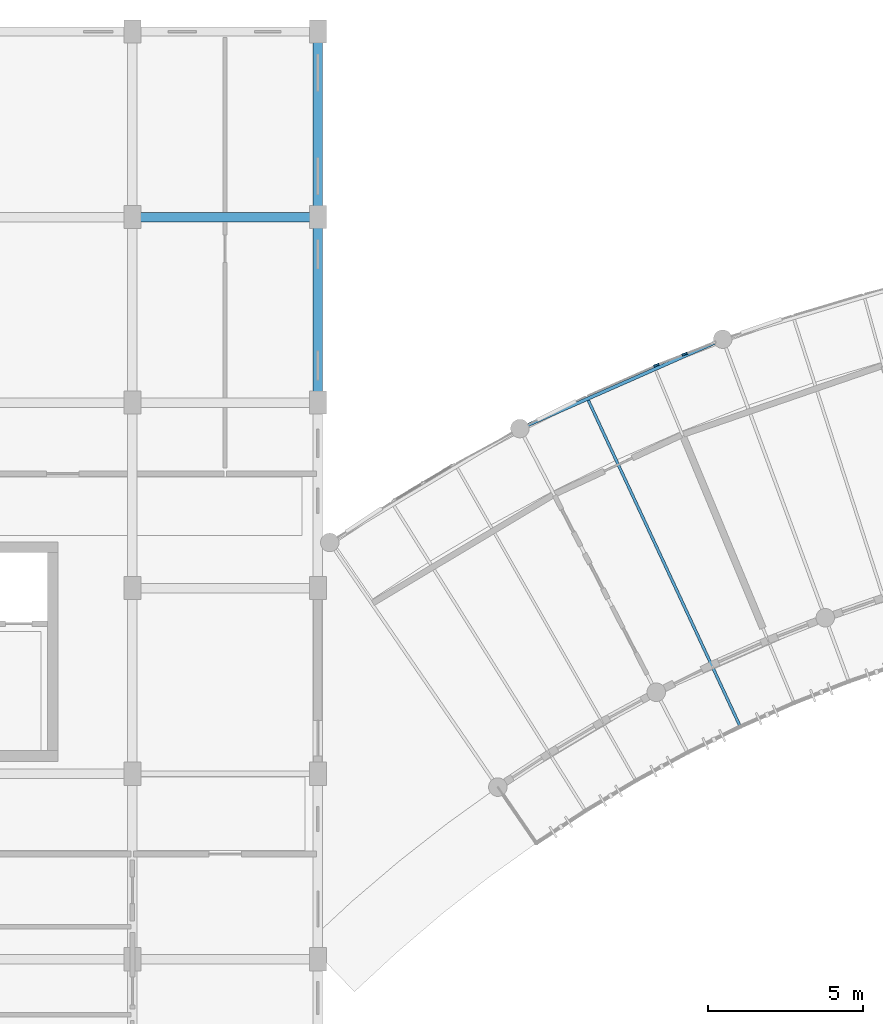
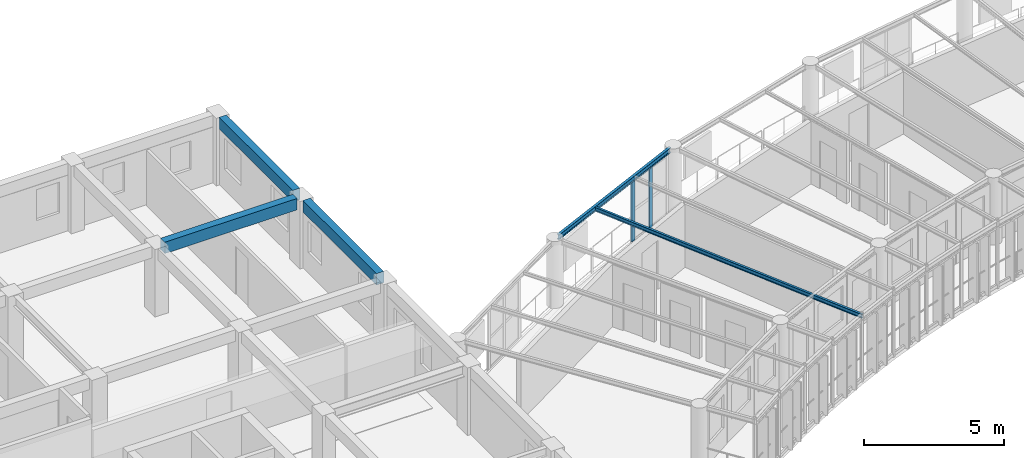
# One storey, part 32 of 100: 5 beams, 2 members, 1 element without a shape of its own.
"""IFC4 building model written with IfcOpenShell, lengths in metres."""

from ifc_helpers import new_model, si_unit, direction, frame, origin, origin_2d, place, context, subcontext, project, spatial, rectangle, i_section, extrude, material, layer, layer_set, material_profile, profile_set, type_object, element, aggregate, save


model = new_model("IFC4")

# Units and contexts
model_context = context("Model", 3, precision=1e-05, world=origin(), true_north=direction((0.0, 1.0)))
body_context = subcontext(model_context, "Body", "Model", "MODEL_VIEW")
ifc_project = project(units=[si_unit("LENGTHUNIT", "METRE"), si_unit("AREAUNIT", "SQUARE_METRE"), si_unit("VOLUMEUNIT", "CUBIC_METRE"), si_unit("PLANEANGLEUNIT", "RADIAN"), si_unit("MASSUNIT", "GRAM", prefix="KILO"), si_unit("POWERUNIT", "WATT"), si_unit("THERMODYNAMICTEMPERATUREUNIT", "KELVIN")], contexts=[model_context])

# Site, building, storey
site_placement = place(None, origin())
site = spatial("IfcSite", under=ifc_project, at=site_placement, CompositionType="ELEMENT")
building_placement = place(site_placement, origin())
building = spatial("IfcBuilding", under=site, at=building_placement, Name="Ruvembo Vaulted Housing Court", CompositionType="ELEMENT")
storey_placement = place(building_placement, frame((0.0, 0.0, 14.10009765625)))
storey = spatial("IfcBuildingStorey", under=building, at=storey_placement, Name="L04", CompositionType="ELEMENT", Elevation=14.10009765625)

# Beams
ifc_material_1 = material(Name="Steel S355J2", Category="steel")
ifc_material_profile_1 = material_profile(ifc_material_1, i_section(OverallWidth=0.091064453125, OverallDepth=0.179931640625, WebThickness=0.00537109375, FlangeThickness=0.008056640625, FilletRadius=0.009033203125, at=origin_2d()), Name="IPE 180")
ifc_profile_set_1 = profile_set([ifc_material_profile_1], Name="Steel S355J2")
beam_type_1 = type_object("IfcBeamType", Name="BM-ST-IPE180", PredefinedType="JOIST", material=ifc_profile_set_1)
beam_1_placement = place(storey_placement, frame((92.744873046875, 102.07958984375, 2.849853515625), z_axis=(0.422190259357, -0.906507244816, 0.0), x_axis=(0.906507244816, 0.422190259357, 0.0)))
element("IfcBeam", 1, at=beam_1_placement, inside=storey, type_object=beam_type_1, Name="Scoop SC3 L04 Radial Steel Joist 4", PredefinedType="JOIST", context=body_context, shape_type="SweptSolid", body=[
    extrude(i_section(OverallWidth=0.091064453125, OverallDepth=0.179931640625, WebThickness=0.00537109375, FlangeThickness=0.008056640625, FilletRadius=0.009033203125, at=origin_2d()), origin(), (0.0, 0.0, 1.0), 11.69091796875),
])
ifc_material_profile_2 = material_profile(ifc_material_1, i_section(OverallWidth=0.110107421875, OverallDepth=0.219970703125, WebThickness=0.005859375, FlangeThickness=0.00927734375, FilletRadius=0.011962890625, at=origin_2d()), Name="IPE 220")
ifc_profile_set_2 = profile_set([ifc_material_profile_2], Name="Steel S355J2")
beam_type_2 = type_object("IfcBeamType", Name="BM-ST-IPE220", PredefinedType="SPANDREL", material=ifc_profile_set_2)
beam_2_placement = place(storey_placement, frame((90.709716796875, 101.2373046875, 2.831787109375), z_axis=(0.915067740263, 0.403300174474, 0.0), x_axis=(-0.403300174474, 0.915067740263, 0.0)))
element("IfcBeam", 2, at=beam_2_placement, inside=storey, type_object=beam_type_2, Name="Scoop SC3 L04 Chord Girder B3", PredefinedType="SPANDREL", context=body_context, shape_type="SweptSolid", body=[
    extrude(i_section(OverallWidth=0.110107421875, OverallDepth=0.219970703125, WebThickness=0.005859375, FlangeThickness=0.00927734375, FilletRadius=0.011962890625, at=origin_2d()), origin(), (0.0, 0.0, 1.0), 6.78857421875),
])

# Curtain wall, members
ifc_material_2 = material(Name="Anodised Aluminium and Solar-Control Glass", Category="aluminium")
ifc_layer = layer(ifc_material_2, 0.1201171875, Name="Anodised Aluminium and Solar-Control Glass")
ifc_layer_set = layer_set([ifc_layer], Name="Anodised Aluminium and Solar-Control Glass")
curtain_wall_type = type_object("IfcCurtainWallType", Name="CW-SCOOP-GAL", PredefinedType="NOTDEFINED", material=ifc_layer_set)
curtain_wall_placement = place(storey_placement, origin())
curtain_wall = element("IfcCurtainWall", 3, at=curtain_wall_placement, inside=storey, type_object=curtain_wall_type, Name="L04 Curtain Wall CW-L04-0078", PredefinedType="NOTDEFINED")
ifc_material_3 = material(Name="Anodised Aluminium 6063-T6", Category="aluminium")
ifc_material_profile_3 = material_profile(ifc_material_3, rectangle(XDim=0.06494140625, YDim=0.179931640625, at=origin_2d()), Name="ALU 65x180")
ifc_profile_set_3 = profile_set([ifc_material_profile_3], Name="Anodised Aluminium 6063-T6")
member_type = type_object("IfcMemberType", Name="CW-MUL-65x180", PredefinedType="MULLION", material=ifc_profile_set_3)
member_1_placement = place(storey_placement, frame((94.946533203125, 103.208984375, 0.0), z_axis=(0.0, 0.0, 1.0), x_axis=(-0.36500342181, 0.931006177244, 0.0)))
member_1 = element("IfcMember", 4, at=member_1_placement, type_object=member_type, Name="CW6 mullion 1", PredefinedType="MULLION", context=body_context, shape_type="SweptSolid", body=[
    extrude(rectangle(XDim=0.06494140625, YDim=0.179931640625, at=origin_2d()), origin(), (0.0, 0.0, 1.0), 2.697998046875),
])
member_2_placement = place(storey_placement, frame((95.8662109375, 103.569580078125, 0.0), z_axis=(0.0, 0.0, 1.0), x_axis=(-0.36500342181, 0.931006177244, 0.0)))
member_2 = element("IfcMember", 5, at=member_2_placement, type_object=member_type, Name="CW6 mullion 2", PredefinedType="MULLION", context=body_context, shape_type="SweptSolid", body=[
    extrude(rectangle(XDim=0.06494140625, YDim=0.179931640625, at=origin_2d()), origin(), (0.0, 0.0, 1.0), 2.697998046875),
])
aggregate(curtain_wall, [member_1, member_2])

# Beams
ifc_material_4 = material(Name="Concrete C35/45", Category="concrete")
ifc_material_profile_4 = material_profile(ifc_material_4, rectangle(XDim=0.300048828125, YDim=0.5, at=origin_2d()), Name="RC 300x500")
ifc_profile_set_4 = profile_set([ifc_material_profile_4], Name="Concrete C35/45")
beam_type_3 = type_object("IfcBeamType", Name="SP-RC-300x500", PredefinedType="SPANDREL", material=ifc_profile_set_4)
beam_3_placement = place(storey_placement, frame((78.260009765625, 108.0, 2.699951171875), z_axis=(1.0, 0.0, 0.0), x_axis=(0.0, 1.0, 0.0)))
element("IfcBeam", 6, at=beam_3_placement, inside=storey, type_object=beam_type_3, Name="L04 Grid Beam X #2132", PredefinedType="SPANDREL", context=body_context, shape_type="SweptSolid", body=[
    extrude(rectangle(XDim=0.300048828125, YDim=0.5, at=origin_2d()), origin(), (0.0, 0.0, 1.0), 5.47998046875),
])
for number, where, z_axis, x_axis, name in (
    (7, (84.0, 102.360107421875, 2.699951171875), (0.0, 1.0, 0.0), (-1.0, 0.0, 0.0), "L04 Grid Beam Y #2213"),
    (8, (84.0, 108.360107421875, 2.699951171875), (0.0, 1.0, 0.0), (-1.0, 0.0, 0.0), "L04 Grid Beam Y #2214"),
):
    element("IfcBeam", number, at=place(storey_placement, frame(where, z_axis=z_axis, x_axis=x_axis)), inside=storey, type_object=beam_type_3, Name=name, PredefinedType="SPANDREL", context=body_context, shape_type="SweptSolid", body=[
        extrude(rectangle(XDim=0.300048828125, YDim=0.5, at=origin_2d()), origin(), (0.0, 0.0, 1.0), 5.27978515625),
    ])

save(model, "model.ifc")
